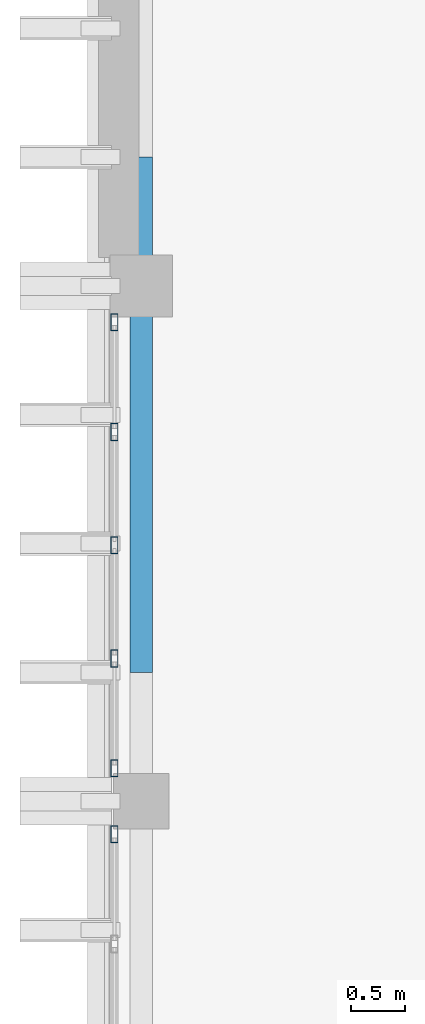
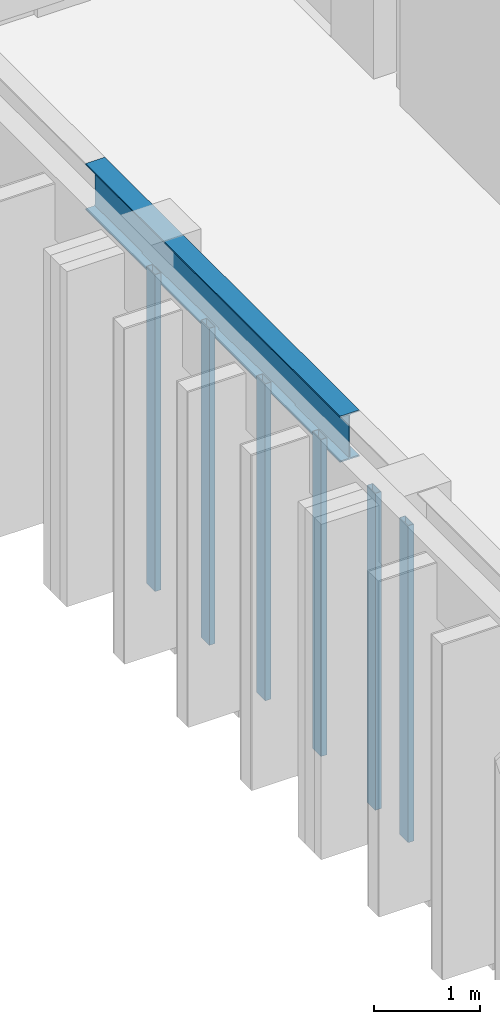
# One storey, part 10 of 49: 6 members, 1 beam, 2 elements without a shape of their own.
"""IFC4 building model written with IfcOpenShell, lengths in metres."""

from ifc_helpers import new_model, si_unit, direction, frame, origin, origin_2d, place, context, subcontext, project, spatial, hollow_rectangle, i_section, extrude, material, layer, layer_set, material_profile, profile_set, type_object, element, aggregate, save


model = new_model("IFC4")

# Units and contexts
model_context = context("Model", 3, precision=1e-05, world=origin(), true_north=direction((0.0, 1.0)))
body_context = subcontext(model_context, "Body", "Model", "MODEL_VIEW")
ifc_project = project(units=[si_unit("LENGTHUNIT", "METRE"), si_unit("AREAUNIT", "SQUARE_METRE"), si_unit("VOLUMEUNIT", "CUBIC_METRE"), si_unit("PLANEANGLEUNIT", "RADIAN"), si_unit("MASSUNIT", "GRAM", prefix="KILO")], contexts=[model_context])

# Site, building, storey
site_placement = place(None, origin())
site = spatial("IfcSite", under=ifc_project, at=site_placement, CompositionType="ELEMENT")
building_placement = place(site_placement, origin())
building = spatial("IfcBuilding", under=site, at=building_placement, Name="Nakhvara Creek Congress Hotel", CompositionType="ELEMENT")
storey_placement = place(building_placement, frame((0.0, 0.0, 46.5)))
storey = spatial("IfcBuildingStorey", under=building, at=storey_placement, Name="L11", CompositionType="ELEMENT", Elevation=46.5)

# Beam
ifc_material_1 = material(Name="Steel S355J2", Category="steel")
ifc_material_profile_1 = material_profile(ifc_material_1, i_section(OverallWidth=0.209228515625, OverallDepth=0.533203125, WebThickness=0.010009765625, FlangeThickness=0.015625, FilletRadius=0.0126953125, at=origin_2d()), Name="UB 533x210x92", Category="LoadBearing")
ifc_profile_set_1 = profile_set([ifc_material_profile_1], Name="Steel S355J2")
beam_type = type_object("IfcBeamType", Name="BM-ST-UB533", PredefinedType="BEAM", material=ifc_profile_set_1)
beam_placement = place(storey_placement, frame((149.449951171875, 82.800048828125, 3.6201171875), z_axis=(0.0, 1.0, 0.0), x_axis=(-1.0, 0.0, 0.0)))
element("IfcBeam", 1, at=beam_placement, inside=storey, type_object=beam_type, Name="Hotel Gable Eave Beam W-03", PredefinedType="BEAM", context=body_context, shape_type="SweptSolid", body=[
    extrude(i_section(OverallWidth=0.209228515625, OverallDepth=0.533203125, WebThickness=0.010009765625, FlangeThickness=0.015625, FilletRadius=0.0126953125, at=origin_2d()), origin(), (0.0, 0.0, 1.0), 4.800048828125),
])

# Curtain wall, member
ifc_material_2 = material(Name="Bronze-anodised aluminium AW-6063-T6 and double-silver low-E glass", Category="aluminium")
ifc_layer = layer(ifc_material_2, 0.199951171875)
ifc_layer_set = layer_set([ifc_layer], Name="Bronze-anodised aluminium AW-6063-T6 and double-silver low-E glass")
curtain_wall_type = type_object("IfcCurtainWallType", Name="CW-HTL-UNIT", PredefinedType="USERDEFINED", material=ifc_layer_set)
curtain_wall_1_placement = place(storey_placement, origin())
curtain_wall_1 = element("IfcCurtainWall", 2, at=curtain_wall_1_placement, inside=storey, type_object=curtain_wall_type, Name="Curtain Wall CW335", ObjectType="UNITISED", PredefinedType="USERDEFINED")
ifc_material_3 = material(Name="Bronze-anodised aluminium AW-6063-T6", Category="aluminium")
ifc_material_profile_2 = material_profile(ifc_material_3, hollow_rectangle(XDim=0.06494140625, YDim=0.159912109375, WallThickness=0.00390625, at=origin_2d()), Name="ALU-MULL 65x160x4", Category="LoadBearing")
ifc_profile_set_2 = profile_set([ifc_material_profile_2], Name="Bronze-anodised aluminium AW-6063-T6")
member_type = type_object("IfcMemberType", Name="CW-MULL-160", PredefinedType="MULLION", material=ifc_profile_set_2)
member_1_placement = place(storey_placement, frame((149.199951171875, 81.29248046875, 0.0), z_axis=(0.0, 0.0, 1.0), x_axis=(-1.0, 0.0, 0.0)))
member_1 = element("IfcMember", 3, at=member_1_placement, type_object=member_type, Name="CW335 mullion 5", PredefinedType="MULLION", context=body_context, shape_type="SweptSolid", body=[
    extrude(hollow_rectangle(XDim=0.06494140625, YDim=0.159912109375, WallThickness=0.00390625, at=origin_2d()), origin(), (0.0, 0.0, 1.0), 3.64990234375),
])
aggregate(curtain_wall_1, [member_1])

# Curtain wall, members
curtain_wall_2_placement = place(storey_placement, origin())
curtain_wall_2 = element("IfcCurtainWall", 4, at=curtain_wall_2_placement, inside=storey, type_object=curtain_wall_type, Name="Curtain Wall CW337", ObjectType="UNITISED", PredefinedType="USERDEFINED")
member_2_placement = place(storey_placement, frame((149.199951171875, 81.907470703125, 0.0), z_axis=(0.0, 0.0, 1.0), x_axis=(-1.0, 0.0, 0.0)))
member_2 = element("IfcMember", 5, at=member_2_placement, type_object=member_type, Name="CW337 mullion 1", PredefinedType="MULLION", context=body_context, shape_type="SweptSolid", body=[
    extrude(hollow_rectangle(XDim=0.06494140625, YDim=0.159912109375, WallThickness=0.00390625, at=origin_2d()), origin(), (0.0, 0.0, 1.0), 3.64990234375),
])
member_3_placement = place(storey_placement, frame((149.199951171875, 82.929931640625, 0.0), z_axis=(0.0, 0.0, 1.0), x_axis=(-1.0, 0.0, 0.0)))
member_3 = element("IfcMember", 6, at=member_3_placement, type_object=member_type, Name="CW337 mullion 2", PredefinedType="MULLION", context=body_context, shape_type="SweptSolid", body=[
    extrude(hollow_rectangle(XDim=0.06494140625, YDim=0.159912109375, WallThickness=0.00390625, at=origin_2d()), origin(), (0.0, 0.0, 1.0), 3.64990234375),
])
member_4_placement = place(storey_placement, frame((149.199951171875, 83.985107421875, 0.0), z_axis=(0.0, 0.0, 1.0), x_axis=(-1.0, 0.0, 0.0)))
member_4 = element("IfcMember", 7, at=member_4_placement, type_object=member_type, Name="CW337 mullion 3", PredefinedType="MULLION", context=body_context, shape_type="SweptSolid", body=[
    extrude(hollow_rectangle(XDim=0.06494140625, YDim=0.159912109375, WallThickness=0.00390625, at=origin_2d()), origin(), (0.0, 0.0, 1.0), 3.64990234375),
])
member_5_placement = place(storey_placement, frame((149.199951171875, 85.0400390625, 0.0), z_axis=(0.0, 0.0, 1.0), x_axis=(-1.0, 0.0, 0.0)))
member_5 = element("IfcMember", 8, at=member_5_placement, type_object=member_type, Name="CW337 mullion 4", PredefinedType="MULLION", context=body_context, shape_type="SweptSolid", body=[
    extrude(hollow_rectangle(XDim=0.06494140625, YDim=0.159912109375, WallThickness=0.00390625, at=origin_2d()), origin(), (0.0, 0.0, 1.0), 3.64990234375),
])
member_6_placement = place(storey_placement, frame((149.199951171875, 86.0625, 0.0), z_axis=(0.0, 0.0, 1.0), x_axis=(-1.0, 0.0, 0.0)))
member_6 = element("IfcMember", 9, at=member_6_placement, type_object=member_type, Name="CW337 mullion 5", PredefinedType="MULLION", context=body_context, shape_type="SweptSolid", body=[
    extrude(hollow_rectangle(XDim=0.06494140625, YDim=0.159912109375, WallThickness=0.00390625, at=origin_2d()), origin(), (0.0, 0.0, 1.0), 3.64990234375),
])
aggregate(curtain_wall_2, [member_2, member_3, member_4, member_5, member_6])

save(model, "model.ifc")
